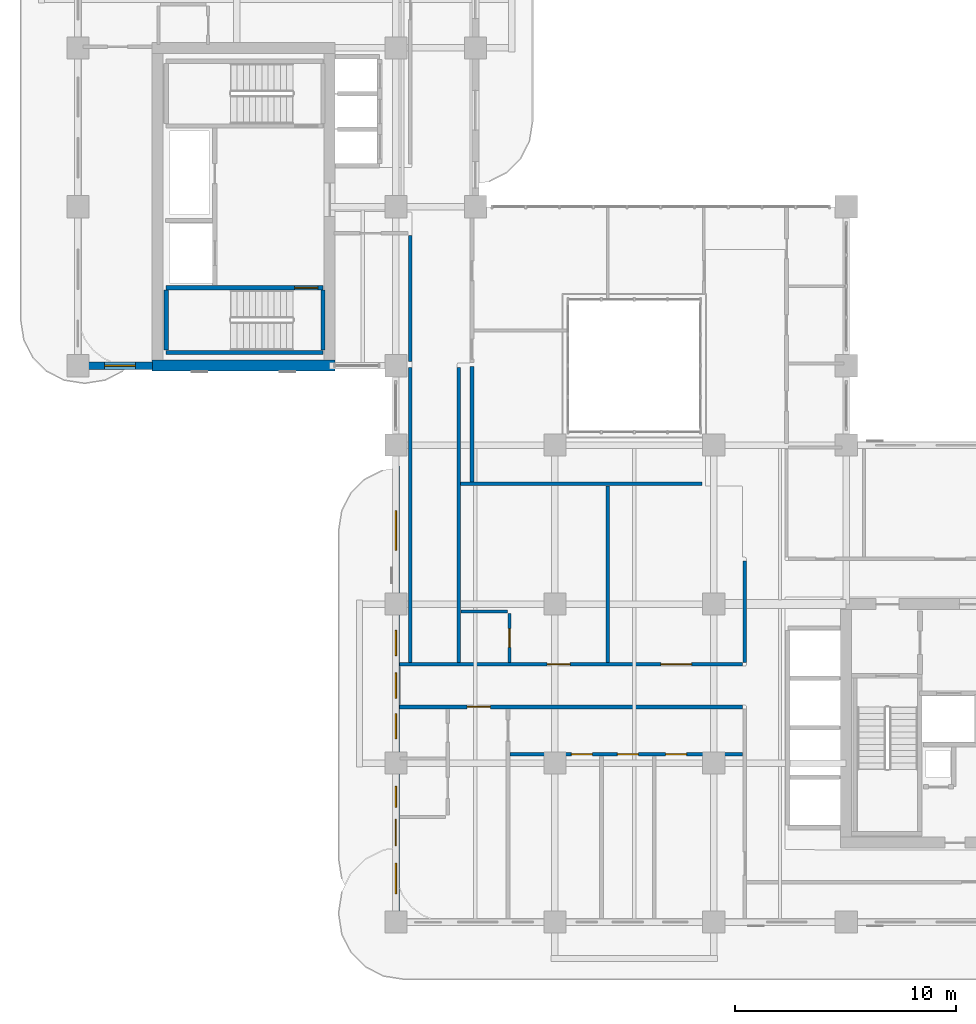
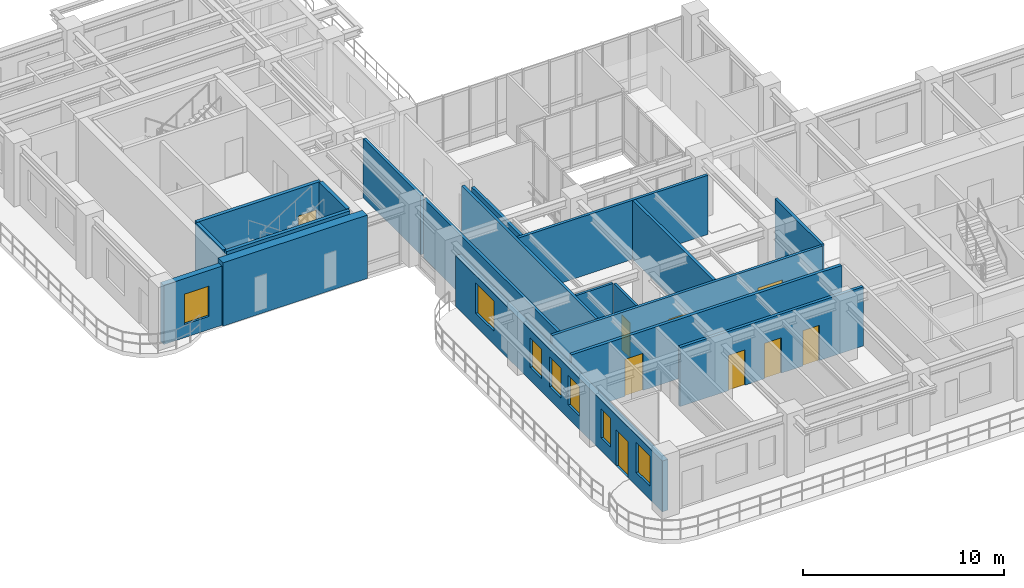
# One storey, part 11 of 20: 19 walls, 9 doors, 7 windows, 16 openings.
"""IFC4 building model written with IfcOpenShell, lengths in metres."""

from ifc_helpers import new_model, si_unit, derived_unit, direction, frame, frame_2d, origin, place, context, subcontext, project, spatial, rectangle, extrude, source, transform, mapped, material, layer, layer_set, type_object, type_shapes, element, fill, save


model = new_model("IFC4")

# Units and contexts
model_context = context("Model", 3, precision=1e-05, world=origin(), true_north=direction((0.0, 1.0)))
body_context = subcontext(model_context, "Body", "Model", "MODEL_VIEW")
ifc_project = project(units=[si_unit("LENGTHUNIT", "METRE"), si_unit("AREAUNIT", "SQUARE_METRE"), si_unit("VOLUMEUNIT", "CUBIC_METRE"), si_unit("PLANEANGLEUNIT", "RADIAN"), si_unit("MASSUNIT", "GRAM", prefix="KILO"), si_unit("THERMODYNAMICTEMPERATUREUNIT", "KELVIN"), si_unit("POWERUNIT", "WATT"), derived_unit("THERMALTRANSMITTANCEUNIT", [(si_unit("POWERUNIT", "WATT"), 1), (si_unit("AREAUNIT", "SQUARE_METRE"), -1), (si_unit("THERMODYNAMICTEMPERATUREUNIT", "KELVIN"), -1)])], contexts=[model_context])

# Site, building, storey
site_placement = place(None, origin())
site = spatial("IfcSite", under=ifc_project, at=site_placement, CompositionType="ELEMENT")
building_placement = place(site_placement, origin())
building = spatial("IfcBuilding", under=site, at=building_placement, Name="Zahravan Archway Hotel and Residences", CompositionType="ELEMENT")
storey_placement = place(building_placement, frame((0.0, 0.0, 177.25)))
storey = spatial("IfcBuildingStorey", under=building, at=storey_placement, Name="L44", CompositionType="ELEMENT", Elevation=177.25)

# Wall
ifc_material_1 = material(Name="Concrete C60/75", Category="concrete")
ifc_layer_1 = layer(ifc_material_1, 0.5, Name="Concrete C60/75", Category="concrete")
ifc_layer_set_1 = layer_set([ifc_layer_1], Name="Concrete C60/75")
wall_type_1 = type_object("IfcWallType", Name="CW-CORE-500", PredefinedType="SHEAR", material=ifc_layer_set_1)
wall_1_placement = place(storey_placement, frame((3.35009765625, 25.199951171875, 0.0), z_axis=(0.0, 0.0, 1.0), x_axis=(1.0, 0.0, 0.0)))
element("IfcWall", 1, at=wall_1_placement, inside=storey, type_object=wall_type_1, Name="L44 Core B Shear S Wall 500 mm", PredefinedType="SHEAR", context=body_context, shape_type="SweptSolid", body=[
    extrude(rectangle(XDim=8.2998046875, YDim=0.5, at=frame_2d((4.14990234375, 0.0))), origin(), (0.0, 0.0, 1.0), 3.85009765625),
])

# Wall, openings, door, windows
ifc_material_2 = material(Name="Agra Buff Sandstone & Insulated Backup", Category="masonry")
ifc_layer_2 = layer(ifc_material_2, 0.320068359375, Name="Agra Buff Sandstone & Insulated Backup", Category="masonry")
ifc_layer_set_2 = layer_set([ifc_layer_2], Name="Agra Buff Sandstone & Insulated Backup")
wall_type_2 = type_object("IfcWallType", Name="EW-SAND-320", PredefinedType="SOLIDWALL", material=ifc_layer_set_2)
wall_2_placement = place(storey_placement, frame((14.39990234375, 0.050048828125, 0.0), z_axis=(0.0, 0.0, 1.0), x_axis=(0.0, 1.0, 0.0)))
wall_2 = element("IfcWall", 2, at=wall_2_placement, inside=storey, type_object=wall_type_2, Name="L44 Exterior Sandstone Wall WA-WL", PredefinedType="SOLIDWALL", context=body_context, shape_type="SweptSolid", body=[
    extrude(rectangle(XDim=20.599853515625, YDim=0.320068359375, at=frame_2d((10.2998046875, 0.0))), origin(), (0.0, 0.0, 1.0), 3.0849609375),
])
opening_1_placement = place(wall_2_placement, frame((3.39990234375, 0.0, 0.0)))
opening_1 = element("IfcOpeningElement", 3, at=opening_1_placement, cuts=wall_2, Name="Opening ED-BL1", PredefinedType="OPENING", context=body_context, shape_type="SweptSolid", body=[
    extrude(rectangle(XDim=1.199951171875, YDim=2.199951171875, at=frame_2d((0.60009765625, 1.10009765625))), frame((0.0, 0.169921875, 0.0), z_axis=(0.0, -1.0, 0.0), x_axis=(1.0, 0.0, 0.0)), (0.0, 0.0, 1.0), 0.340087890625),
])
opening_2_placement = place(wall_2_placement, frame((1.22509765625, 0.0, 0.800048828125)))
opening_2 = element("IfcOpeningElement", 4, at=opening_2_placement, cuts=wall_2, Name="Opening W-03", PredefinedType="OPENING", context=body_context, shape_type="SweptSolid", body=[
    extrude(rectangle(XDim=1.39990234375, YDim=1.85009765625, at=frame_2d((0.699951171875, 0.925048828125))), frame((0.0, 0.169921875, 0.0), z_axis=(0.0, -1.0, 0.0), x_axis=(1.0, 0.0, 0.0)), (0.0, 0.0, 1.0), 0.340087890625),
])
opening_3_placement = place(wall_2_placement, frame((5.14990234375, 0.0, 0.800048828125)))
opening_3 = element("IfcOpeningElement", 5, at=opening_3_placement, cuts=wall_2, Name="Opening W-04", PredefinedType="OPENING", context=body_context, shape_type="SweptSolid", body=[
    extrude(rectangle(XDim=0.949951171875, YDim=1.75, at=frame_2d((0.47509765625, 0.875))), frame((0.0, 0.169921875, 0.0), z_axis=(0.0, -1.0, 0.0), x_axis=(1.0, 0.0, 0.0)), (0.0, 0.0, 1.0), 0.340087890625),
])
opening_4_placement = place(wall_2_placement, frame((8.24609375, 0.0, 0.800048828125)))
opening_4 = element("IfcOpeningElement", 6, at=opening_4_placement, cuts=wall_2, Name="Opening W-05", PredefinedType="OPENING", context=body_context, shape_type="SweptSolid", body=[
    extrude(rectangle(XDim=1.14990234375, YDim=1.800048828125, at=frame_2d((0.574951171875, 0.89990234375))), frame((0.0, 0.169921875, 0.0), z_axis=(0.0, -1.0, 0.0), x_axis=(1.0, 0.0, 0.0)), (0.0, 0.0, 1.0), 0.340087890625),
])
opening_5_placement = place(wall_2_placement, frame((10.0849609375, 0.0, 0.800048828125)))
opening_5 = element("IfcOpeningElement", 7, at=opening_5_placement, cuts=wall_2, Name="Opening W-05", PredefinedType="OPENING", context=body_context, shape_type="SweptSolid", body=[
    extrude(rectangle(XDim=1.14990234375, YDim=1.800048828125, at=frame_2d((0.574951171875, 0.89990234375))), frame((0.0, 0.169921875, 0.0), z_axis=(0.0, -1.0, 0.0), x_axis=(1.0, 0.0, 0.0)), (0.0, 0.0, 1.0), 0.340087890625),
])
opening_6_placement = place(wall_2_placement, frame((12.013916015625, 0.0, 0.800048828125)))
opening_6 = element("IfcOpeningElement", 8, at=opening_6_placement, cuts=wall_2, Name="Opening W-05", PredefinedType="OPENING", context=body_context, shape_type="SweptSolid", body=[
    extrude(rectangle(XDim=1.14990234375, YDim=1.800048828125, at=frame_2d((0.574951171875, 0.89990234375))), frame((0.0, 0.169921875, 0.0), z_axis=(0.0, -1.0, 0.0), x_axis=(1.0, 0.0, 0.0)), (0.0, 0.0, 1.0), 0.340087890625),
])
opening_7_placement = place(wall_2_placement, frame((16.7900390625, 0.0, 0.800048828125)))
opening_7 = element("IfcOpeningElement", 9, at=opening_7_placement, cuts=wall_2, Name="Opening W-02", PredefinedType="OPENING", context=body_context, shape_type="SweptSolid", body=[
    extrude(rectangle(XDim=1.800048828125, YDim=1.85009765625, at=frame_2d((0.89990234375, 0.925048828125))), frame((0.0, 0.169921875, 0.0), z_axis=(0.0, -1.0, 0.0), x_axis=(1.0, 0.0, 0.0)), (0.0, 0.0, 1.0), 0.340087890625),
])
ifc_material_3 = material(Name="Bronze-Anodized Glazed Aluminium", Category="aluminium")
door_type_1 = type_object("IfcDoorType", Name="ED-BALC-1200", OperationType="SLIDING_TO_LEFT", PredefinedType="DOOR", material=ifc_material_3)
shared_shape_1 = source(origin(), body_context, "Body", "SweptSolid", [
    extrude(rectangle(XDim=1.199951171875, YDim=2.199951171875, at=frame_2d((0.60009765625, 1.10009765625))), frame((0.0, 0.02490234375, 0.0), z_axis=(0.0, -1.0, 0.0), x_axis=(1.0, 0.0, 0.0)), (0.0, 0.0, 1.0), 0.050048828125),
])
type_shapes(door_type_1, [shared_shape_1])
door_1_placement = place(opening_1_placement, origin())
door_1 = element("IfcDoor", 10, at=door_1_placement, inside=storey, type_object=door_type_1, Name="L44 Outdoor Access Sliding Door (SLB-BAL-L44-WA)", OperationType="SLIDING_TO_LEFT", OverallHeight=2.199951171875, OverallWidth=1.199951171875, PredefinedType="DOOR", context=body_context, shape_type="MappedRepresentation", body=[
    mapped(shared_shape_1, transform((0.0, 0.0, 0.0), scale=1.0)),
])
fill(opening_1, door_1)
ifc_material_4 = material(Name="Bronze-Anodized Thermal-Break Aluminium & Low-E Glass", Category="aluminium")
window_type_1 = type_object("IfcWindowType", Name="WIN-TWR-1400", PartitioningType="SINGLE_PANEL", PredefinedType="WINDOW", material=ifc_material_4)
shared_shape_2 = source(origin(), body_context, "Body", "SweptSolid", [
    extrude(rectangle(XDim=1.39990234375, YDim=1.85009765625, at=frame_2d((0.699951171875, 0.925048828125))), frame((0.0, 0.030029296875, 0.0), z_axis=(0.0, -1.0, 0.0), x_axis=(1.0, 0.0, 0.0)), (0.0, 0.0, 1.0), 0.06005859375),
])
type_shapes(window_type_1, [shared_shape_2])
window_1_placement = place(opening_2_placement, origin())
window_1 = element("IfcWindow", 11, at=window_1_placement, inside=storey, type_object=window_type_1, Name="L44 Loggia Window 16", OverallHeight=1.85009765625, OverallWidth=1.39990234375, PartitioningType="SINGLE_PANEL", PredefinedType="WINDOW", context=body_context, shape_type="MappedRepresentation", body=[
    mapped(shared_shape_2, transform((0.0, 0.0, 0.0), scale=1.0)),
])
fill(opening_2, window_1)
window_type_2 = type_object("IfcWindowType", Name="WIN-NAR-950", PartitioningType="SINGLE_PANEL", PredefinedType="WINDOW", material=ifc_material_4)
shared_shape_3 = source(origin(), body_context, "Body", "SweptSolid", [
    extrude(rectangle(XDim=0.949951171875, YDim=1.75, at=frame_2d((0.47509765625, 0.875))), frame((0.0, 0.030029296875, 0.0), z_axis=(0.0, -1.0, 0.0), x_axis=(1.0, 0.0, 0.0)), (0.0, 0.0, 1.0), 0.06005859375),
])
type_shapes(window_type_2, [shared_shape_3])
window_2_placement = place(opening_3_placement, origin())
window_2 = element("IfcWindow", 12, at=window_2_placement, inside=storey, type_object=window_type_2, Name="L44 Loggia Window 17", OverallHeight=1.75, OverallWidth=0.949951171875, PartitioningType="SINGLE_PANEL", PredefinedType="WINDOW", context=body_context, shape_type="MappedRepresentation", body=[
    mapped(shared_shape_3, transform((0.0, 0.0, 0.0), scale=1.0)),
])
fill(opening_3, window_2)
window_type_3 = type_object("IfcWindowType", Name="WIN-TWR-1800", PartitioningType="DOUBLE_PANEL_VERTICAL", PredefinedType="WINDOW", material=ifc_material_4)
shared_shape_4 = source(origin(), body_context, "Body", "SweptSolid", [
    extrude(rectangle(XDim=1.800048828125, YDim=1.85009765625, at=frame_2d((0.89990234375, 0.925048828125))), frame((0.0, 0.030029296875, 0.0), z_axis=(0.0, -1.0, 0.0), x_axis=(1.0, 0.0, 0.0)), (0.0, 0.0, 1.0), 0.06005859375),
])
type_shapes(window_type_3, [shared_shape_4])
window_3_placement = place(opening_7_placement, origin())
window_3 = element("IfcWindow", 13, at=window_3_placement, inside=storey, type_object=window_type_3, Name="L44 Loggia Window 21", OverallHeight=1.85009765625, OverallWidth=1.800048828125, PartitioningType="DOUBLE_PANEL_VERTICAL", PredefinedType="WINDOW", context=body_context, shape_type="MappedRepresentation", body=[
    mapped(shared_shape_4, transform((0.0, 0.0, 0.0), scale=1.0)),
])
fill(opening_7, window_3)
window_type_4 = type_object("IfcWindowType", Name="WIN-TWR-1150", PartitioningType="SINGLE_PANEL", PredefinedType="WINDOW", material=ifc_material_4)
shared_shape_5 = source(origin(), body_context, "Body", "SweptSolid", [
    extrude(rectangle(XDim=1.14990234375, YDim=1.800048828125, at=frame_2d((0.574951171875, 0.89990234375))), frame((0.0, 0.030029296875, 0.0), z_axis=(0.0, -1.0, 0.0), x_axis=(1.0, 0.0, 0.0)), (0.0, 0.0, 1.0), 0.06005859375),
])
type_shapes(window_type_4, [shared_shape_5])
window_4_placement = place(opening_4_placement, origin())
window_4 = element("IfcWindow", 14, at=window_4_placement, inside=storey, type_object=window_type_4, Name="L44 Loggia Window 18", OverallHeight=1.800048828125, OverallWidth=1.14990234375, PartitioningType="SINGLE_PANEL", PredefinedType="WINDOW", context=body_context, shape_type="MappedRepresentation", body=[
    mapped(shared_shape_5, transform((0.0, 0.0, 0.0), scale=1.0)),
])
fill(opening_4, window_4)
window_5_placement = place(opening_5_placement, origin())
window_5 = element("IfcWindow", 15, at=window_5_placement, inside=storey, type_object=window_type_4, Name="L44 Loggia Window 19", OverallHeight=1.800048828125, OverallWidth=1.14990234375, PartitioningType="SINGLE_PANEL", PredefinedType="WINDOW", context=body_context, shape_type="MappedRepresentation", body=[
    mapped(shared_shape_5, transform((0.0, 0.0, 0.0), scale=1.0)),
])
fill(opening_5, window_5)
window_6_placement = place(opening_6_placement, origin())
window_6 = element("IfcWindow", 16, at=window_6_placement, inside=storey, type_object=window_type_4, Name="L44 Loggia Window 20", OverallHeight=1.800048828125, OverallWidth=1.14990234375, PartitioningType="SINGLE_PANEL", PredefinedType="WINDOW", context=body_context, shape_type="MappedRepresentation", body=[
    mapped(shared_shape_5, transform((0.0, 0.0, 0.0), scale=1.0)),
])
fill(opening_6, window_6)

# Wall, opening, window
wall_3_placement = place(storey_placement, frame((0.0, 25.199951171875, 0.0), z_axis=(0.0, 0.0, 1.0), x_axis=(1.0, 0.0, 0.0)))
wall_3 = element("IfcWall", 17, at=wall_3_placement, inside=storey, type_object=wall_type_2, Name="L44 Exterior Sandstone Wall WB-SW", PredefinedType="SOLIDWALL", context=body_context, shape_type="SweptSolid", body=[
    extrude(rectangle(XDim=3.3798828125, YDim=0.320068359375, at=frame_2d((1.68994140625, 0.0))), origin(), (0.0, 0.0, 1.0), 3.60009765625),
])
opening_8_placement = place(wall_3_placement, frame((1.205078125, 0.0, 0.800048828125)))
opening_8 = element("IfcOpeningElement", 18, at=opening_8_placement, cuts=wall_3, Name="Opening W-03", PredefinedType="OPENING", context=body_context, shape_type="SweptSolid", body=[
    extrude(rectangle(XDim=1.39990234375, YDim=1.85009765625, at=frame_2d((0.699951171875, 0.925048828125))), frame((0.0, 0.169921875, 0.0), z_axis=(0.0, -1.0, 0.0), x_axis=(1.0, 0.0, 0.0)), (0.0, 0.0, 1.0), 0.340087890625),
])
window_7_placement = place(opening_8_placement, origin())
window_7 = element("IfcWindow", 19, at=window_7_placement, inside=storey, type_object=window_type_1, Name="L44 Loggia Window 22", OverallHeight=1.85009765625, OverallWidth=1.39990234375, PartitioningType="SINGLE_PANEL", PredefinedType="WINDOW", context=body_context, shape_type="MappedRepresentation", body=[
    mapped(shared_shape_2, transform((0.0, 0.0, 0.0), scale=1.0)),
])
fill(opening_8, window_7)

# Wall, openings, doors
ifc_material_5 = material(Name="Fire-Rated Gypsum & Concrete Block", Category="concrete")
ifc_layer_3 = layer(ifc_material_5, 0.159912109375, Name="Fire-Rated Gypsum & Concrete Block", Category="concrete")
ifc_layer_set_3 = layer_set([ifc_layer_3], Name="Fire-Rated Gypsum & Concrete Block")
wall_type_3 = type_object("IfcWallType", Name="PW-CORR-160", PredefinedType="PARTITIONING", material=ifc_layer_set_3)
wall_4_placement = place(storey_placement, frame((14.568115234375, 11.669921875, 0.0), z_axis=(0.0, 0.0, 1.0), x_axis=(1.0, 0.0, 0.0)))
wall_4 = element("IfcWall", 20, at=wall_4_placement, inside=storey, type_object=wall_type_3, Name="L44 Partition WA-CN", PredefinedType="PARTITIONING", context=body_context, shape_type="SweptSolid", body=[
    extrude(rectangle(XDim=15.5419921875, YDim=0.159912109375, at=frame_2d((7.77099609375, 0.0))), origin(), (0.0, 0.0, 1.0), 3.60009765625),
])
opening_9_placement = place(wall_4_placement, frame((6.681884765625, 0.0, 0.0)))
opening_9 = element("IfcOpeningElement", 21, at=opening_9_placement, cuts=wall_4, Name="Opening D-U1", PredefinedType="OPENING", context=body_context, shape_type="SweptSolid", body=[
    extrude(rectangle(XDim=1.050048828125, YDim=2.25, at=frame_2d((0.52490234375, 1.125))), frame((0.0, 0.08984375, 0.0), z_axis=(0.0, -1.0, 0.0), x_axis=(1.0, 0.0, 0.0)), (0.0, 0.0, 1.0), 0.179931640625),
])
opening_10_placement = place(wall_4_placement, frame((11.83203125, 0.0, 0.0)))
opening_10 = element("IfcOpeningElement", 22, at=opening_10_placement, cuts=wall_4, Name="Opening D-P1", PredefinedType="OPENING", context=body_context, shape_type="SweptSolid", body=[
    extrude(rectangle(XDim=1.39990234375, YDim=2.35009765625, at=frame_2d((0.699951171875, 1.175048828125))), frame((0.0, 0.08984375, 0.0), z_axis=(0.0, -1.0, 0.0), x_axis=(1.0, 0.0, 0.0)), (0.0, 0.0, 1.0), 0.179931640625),
])
door_type_2 = type_object("IfcDoorType", Name="ID-PUBLIC-1400", OperationType="DOUBLE_DOOR_SINGLE_SWING", PredefinedType="DOOR", material=ifc_material_3)
shared_shape_6 = source(origin(), body_context, "Body", "SweptSolid", [
    extrude(rectangle(XDim=1.39990234375, YDim=2.35009765625, at=frame_2d((0.699951171875, 1.175048828125))), frame((0.0, 0.02490234375, 0.0), z_axis=(0.0, -1.0, 0.0), x_axis=(1.0, 0.0, 0.0)), (0.0, 0.0, 1.0), 0.050048828125),
])
type_shapes(door_type_2, [shared_shape_6])
door_2_placement = place(opening_10_placement, origin())
door_2 = element("IfcDoor", 23, at=door_2_placement, inside=storey, type_object=door_type_2, Name="L44 Atrium Dining Door", OperationType="DOUBLE_DOOR_SINGLE_SWING", OverallHeight=2.35009765625, OverallWidth=1.39990234375, PredefinedType="DOOR", context=body_context, shape_type="MappedRepresentation", body=[
    mapped(shared_shape_6, transform((0.0, 0.0, 0.0), scale=1.0)),
])
fill(opening_10, door_2)
ifc_material_6 = material(Name="Hardwood Veneer Timber", Category="wood")
door_type_3 = type_object("IfcDoorType", Name="ID-UNIT-1050", OperationType="NOTDEFINED", PredefinedType="DOOR", material=ifc_material_6)
shared_shape_7 = source(origin(), body_context, "Body", "SweptSolid", [
    extrude(rectangle(XDim=1.050048828125, YDim=2.25, at=frame_2d((0.52490234375, 1.125))), frame((0.0, 0.02490234375, 0.0), z_axis=(0.0, -1.0, 0.0), x_axis=(1.0, 0.0, 0.0)), (0.0, 0.0, 1.0), 0.050048828125),
])
type_shapes(door_type_3, [shared_shape_7])
door_3_placement = place(opening_9_placement, origin())
door_3 = element("IfcDoor", 24, at=door_3_placement, inside=storey, type_object=door_type_3, Name="L44 Hotel Guestroom 52 Entrance Door", OperationType="SINGLE_SWING_RIGHT", OverallHeight=2.25, OverallWidth=1.050048828125, PredefinedType="DOOR", context=body_context, shape_type="MappedRepresentation", body=[
    mapped(shared_shape_7, transform((0.0, 0.0, 0.0), scale=1.0)),
])
fill(opening_9, door_3)

# Walls
wall_5_placement = place(storey_placement, frame((30.199951171875, 11.760009765625, 0.0), z_axis=(0.0, 0.0, 1.0), x_axis=(0.0, 1.0, 0.0)))
element("IfcWall", 25, at=wall_5_placement, inside=storey, type_object=wall_type_3, Name="L44 Partition WA-FW", PredefinedType="PARTITIONING", context=body_context, shape_type="SweptSolid", body=[
    extrude(rectangle(XDim=4.60009765625, YDim=0.159912109375, at=frame_2d((2.300048828125, 0.0))), origin(), (0.0, 0.0, 1.0), 3.60009765625),
])
for number, where, z_axis, x_axis, name in (
    (26, (15.050048828125, 11.760009765625, 0.0), (0.0, 0.0, 1.0), (0.0, 1.0, 0.0), "L44 Partition LNK-W"),
    (27, (17.25, 11.760009765625, 0.0), (0.0, 0.0, 1.0), (0.0, 1.0, 0.0), "L44 Partition LNK-E"),
):
    element("IfcWall", number, at=place(storey_placement, frame(where, z_axis=z_axis, x_axis=x_axis)), inside=storey, type_object=wall_type_3, Name=name, PredefinedType="PARTITIONING", context=body_context, shape_type="SweptSolid", body=[
        extrude(rectangle(XDim=13.35009765625, YDim=0.159912109375, at=frame_2d((6.675048828125, 0.0))), origin(), (0.0, 0.0, 1.0), 3.60009765625),
    ])
wall_6_placement = place(storey_placement, frame((15.050048828125, 25.389892578125, 0.0), z_axis=(0.0, 0.0, 1.0), x_axis=(0.0, 1.0, 0.0)))
element("IfcWall", 28, at=wall_6_placement, inside=storey, type_object=wall_type_3, Name="L44 Partition FB1-E", PredefinedType="PARTITIONING", context=body_context, shape_type="SweptSolid", body=[
    extrude(rectangle(XDim=5.72021484375, YDim=0.159912109375, at=frame_2d((2.860107421875, 0.0))), origin(), (0.0, 0.0, 1.0), 3.60009765625),
])
wall_7_placement = place(storey_placement, frame((17.340087890625, 19.85009765625, 0.0), z_axis=(0.0, 0.0, 1.0), x_axis=(1.0, 0.0, 0.0)))
element("IfcWall", 29, at=wall_7_placement, inside=storey, type_object=wall_type_3, Name="L44 Partition ATR-S", PredefinedType="PARTITIONING", context=body_context, shape_type="SweptSolid", body=[
    extrude(rectangle(XDim=10.919921875, YDim=0.159912109375, at=frame_2d((5.4599609375, 0.0))), origin(), (0.0, 0.0, 1.0), 3.60009765625),
])

# Wall, opening, door
ifc_layer_4 = layer(ifc_material_5, 0.179931640625, Name="Fire-Rated Gypsum & Concrete Block", Category="concrete")
ifc_layer_set_4 = layer_set([ifc_layer_4], Name="Fire-Rated Gypsum & Concrete Block")
wall_type_4 = type_object("IfcWallType", Name="PW-CORR-180", PredefinedType="PARTITIONING", material=ifc_layer_set_4)
wall_8_placement = place(storey_placement, frame((14.568115234375, 9.75, 0.0), z_axis=(0.0, 0.0, 1.0), x_axis=(1.0, 0.0, 0.0)))
wall_8 = element("IfcWall", 30, at=wall_8_placement, inside=storey, type_object=wall_type_4, Name="L44 Partition WA-CS", PredefinedType="PARTITIONING", context=body_context, shape_type="SweptSolid", body=[
    extrude(rectangle(XDim=15.5419921875, YDim=0.179931640625, at=frame_2d((7.77099609375, 0.0))), origin(), (0.0, 0.0, 1.0), 3.60009765625),
])
opening_11_placement = place(wall_8_placement, frame((3.06201171875, 0.0, 0.0)))
opening_11 = element("IfcOpeningElement", 31, at=opening_11_placement, cuts=wall_8, Name="Opening D-U1", PredefinedType="OPENING", context=body_context, shape_type="SweptSolid", body=[
    extrude(rectangle(XDim=1.050048828125, YDim=2.25, at=frame_2d((0.52490234375, 1.125))), frame((0.0, 0.10009765625, 0.0), z_axis=(0.0, -1.0, 0.0), x_axis=(1.0, 0.0, 0.0)), (0.0, 0.0, 1.0), 0.199951171875),
])
door_4_placement = place(opening_11_placement, origin())
door_4 = element("IfcDoor", 32, at=door_4_placement, inside=storey, type_object=door_type_3, Name="L44 Flat S1 Entrance Door", OperationType="SINGLE_SWING_RIGHT", OverallHeight=2.25, OverallWidth=1.050048828125, PredefinedType="DOOR", context=body_context, shape_type="MappedRepresentation", body=[
    mapped(shared_shape_7, transform((0.0, 0.0, 0.0), scale=1.0)),
])
fill(opening_11, door_4)

# Wall, openings, doors
ifc_material_7 = material(Name="Acoustic Stud Partition")
ifc_layer_5 = layer(ifc_material_7, 0.169921875, Name="Acoustic Stud Partition")
ifc_layer_set_5 = layer_set([ifc_layer_5], Name="Acoustic Stud Partition")
wall_type_5 = type_object("IfcWallType", Name="PW-UNIT-170", PredefinedType="PARTITIONING", material=ifc_layer_set_5)
wall_9_placement = place(storey_placement, frame((19.570068359375, 7.60009765625, 0.0), z_axis=(0.0, 0.0, 1.0), x_axis=(1.0, 0.0, 0.0)))
wall_9 = element("IfcWall", 33, at=wall_9_placement, inside=storey, type_object=wall_type_5, Name="L44 Partition FL-S1-GH", PredefinedType="PARTITIONING", context=body_context, shape_type="SweptSolid", body=[
    extrude(rectangle(XDim=10.5400390625, YDim=0.169921875, at=frame_2d((5.27001953125, 0.0))), origin(), (0.0, 0.0, 1.0), 3.60009765625),
])
opening_12_placement = place(wall_9_placement, frame((2.78369140625, 0.0, 0.0)))
opening_12 = element("IfcOpeningElement", 34, at=opening_12_placement, cuts=wall_9, Name="Opening D-I1", PredefinedType="OPENING", context=body_context, shape_type="SweptSolid", body=[
    extrude(rectangle(XDim=0.949951171875, YDim=2.14990234375, at=frame_2d((0.47509765625, 1.074951171875))), frame((0.0, 0.094970703125, 0.0), z_axis=(0.0, -1.0, 0.0), x_axis=(1.0, 0.0, 0.0)), (0.0, 0.0, 1.0), 0.18994140625),
])
opening_13_placement = place(wall_9_placement, frame((4.864990234375, 0.0, 0.0)))
opening_13 = element("IfcOpeningElement", 35, at=opening_13_placement, cuts=wall_9, Name="Opening D-I1", PredefinedType="OPENING", context=body_context, shape_type="SweptSolid", body=[
    extrude(rectangle(XDim=0.949951171875, YDim=2.14990234375, at=frame_2d((0.47509765625, 1.074951171875))), frame((0.0, 0.094970703125, 0.0), z_axis=(0.0, -1.0, 0.0), x_axis=(1.0, 0.0, 0.0)), (0.0, 0.0, 1.0), 0.18994140625),
])
opening_14_placement = place(wall_9_placement, frame((7.054931640625, 0.0, 0.0)))
opening_14 = element("IfcOpeningElement", 36, at=opening_14_placement, cuts=wall_9, Name="Opening D-I1", PredefinedType="OPENING", context=body_context, shape_type="SweptSolid", body=[
    extrude(rectangle(XDim=0.949951171875, YDim=2.14990234375, at=frame_2d((0.47509765625, 1.074951171875))), frame((0.0, 0.094970703125, 0.0), z_axis=(0.0, -1.0, 0.0), x_axis=(1.0, 0.0, 0.0)), (0.0, 0.0, 1.0), 0.18994140625),
])
door_type_4 = type_object("IfcDoorType", Name="ID-INT-950", OperationType="NOTDEFINED", PredefinedType="DOOR", material=ifc_material_6)
shared_shape_8 = source(origin(), body_context, "Body", "SweptSolid", [
    extrude(rectangle(XDim=0.949951171875, YDim=2.14990234375, at=frame_2d((0.47509765625, 1.074951171875))), frame((0.0, 0.02490234375, 0.0), z_axis=(0.0, -1.0, 0.0), x_axis=(1.0, 0.0, 0.0)), (0.0, 0.0, 1.0), 0.050048828125),
])
type_shapes(door_type_4, [shared_shape_8])
door_5_placement = place(opening_12_placement, origin())
door_5 = element("IfcDoor", 37, at=door_5_placement, inside=storey, type_object=door_type_4, Name="L44 Flat S1 Bedroom 1 Door", OperationType="SINGLE_SWING_RIGHT", OverallHeight=2.14990234375, OverallWidth=0.949951171875, PredefinedType="DOOR", context=body_context, shape_type="MappedRepresentation", body=[
    mapped(shared_shape_8, transform((0.0, 0.0, 0.0), scale=1.0)),
])
fill(opening_12, door_5)
door_6_placement = place(opening_13_placement, origin())
door_6 = element("IfcDoor", 38, at=door_6_placement, inside=storey, type_object=door_type_4, Name="L44 Flat S1 Bedroom 2 Door", OperationType="SINGLE_SWING_LEFT", OverallHeight=2.14990234375, OverallWidth=0.949951171875, PredefinedType="DOOR", context=body_context, shape_type="MappedRepresentation", body=[
    mapped(shared_shape_8, transform((0.0, 0.0, 0.0), scale=1.0)),
])
fill(opening_13, door_6)
door_7_placement = place(opening_14_placement, origin())
door_7 = element("IfcDoor", 39, at=door_7_placement, inside=storey, type_object=door_type_4, Name="L44 Flat S1 Bedroom 3 Door", OperationType="SINGLE_SWING_LEFT", OverallHeight=2.14990234375, OverallWidth=0.949951171875, PredefinedType="DOOR", context=body_context, shape_type="MappedRepresentation", body=[
    mapped(shared_shape_8, transform((0.0, 0.0, 0.0), scale=1.0)),
])
fill(opening_14, door_7)

# Walls
wall_10_placement = place(storey_placement, frame((17.85009765625, 19.93994140625, 0.0), z_axis=(0.0, 0.0, 1.0), x_axis=(0.0, 1.0, 0.0)))
element("IfcWall", 40, at=wall_10_placement, inside=storey, type_object=wall_type_5, Name="L44 Partition ATR-NWSL", PredefinedType="PARTITIONING", context=body_context, shape_type="SweptSolid", body=[
    extrude(rectangle(XDim=5.219970703125, YDim=0.169921875, at=frame_2d((2.60986328125, 0.0))), origin(), (0.0, 0.0, 1.0), 3.284912109375),
])
wall_11_placement = place(storey_placement, frame((24.0, 11.760009765625, 0.0), z_axis=(0.0, 0.0, 1.0), x_axis=(0.0, 1.0, 0.0)))
element("IfcWall", 41, at=wall_11_placement, inside=storey, type_object=wall_type_5, Name="L44 Partition ATN-3", PredefinedType="PARTITIONING", context=body_context, shape_type="SweptSolid", body=[
    extrude(rectangle(XDim=8.0, YDim=0.169921875, at=frame_2d((4.0, 0.0))), origin(), (0.0, 0.0, 1.0), 3.60009765625),
])

# Wall, opening, door
ifc_material_8 = material(Name="Moisture-Resistant Blockwork", Category="masonry")
ifc_layer_6 = layer(ifc_material_8, 0.139892578125, Name="Moisture-Resistant Blockwork", Category="masonry")
ifc_layer_set_6 = layer_set([ifc_layer_6], Name="Moisture-Resistant Blockwork")
wall_type_6 = type_object("IfcWallType", Name="PW-WET-140", PredefinedType="PARTITIONING", material=ifc_layer_set_6)
wall_12_placement = place(storey_placement, frame((19.550048828125, 11.760009765625, 0.0), z_axis=(0.0, 0.0, 1.0), x_axis=(0.0, 1.0, 0.0)))
wall_12 = element("IfcWall", 42, at=wall_12_placement, inside=storey, type_object=wall_type_6, Name="L44 Partition HKB-V52", PredefinedType="PARTITIONING", context=body_context, shape_type="SweptSolid", body=[
    extrude(rectangle(XDim=2.219970703125, YDim=0.139892578125, at=frame_2d((1.10986328125, 0.0))), origin(), (0.0, 0.0, 1.0), 3.60009765625),
])
opening_15_placement = place(wall_12_placement, frame((0.68505859375, 0.0, 0.0)))
opening_15 = element("IfcOpeningElement", 43, at=opening_15_placement, cuts=wall_12, Name="Opening D-B1", PredefinedType="OPENING", context=body_context, shape_type="SweptSolid", body=[
    extrude(rectangle(XDim=0.85009765625, YDim=2.10009765625, at=frame_2d((0.425048828125, 1.050048828125))), frame((0.0, 0.080078125, 0.0), z_axis=(0.0, -1.0, 0.0), x_axis=(1.0, 0.0, 0.0)), (0.0, 0.0, 1.0), 0.159912109375),
])
door_type_5 = type_object("IfcDoorType", Name="ID-BATH-850", OperationType="NOTDEFINED", PredefinedType="DOOR", material=ifc_material_6)
shared_shape_9 = source(origin(), body_context, "Body", "SweptSolid", [
    extrude(rectangle(XDim=0.85009765625, YDim=2.10009765625, at=frame_2d((0.425048828125, 1.050048828125))), frame((0.0, 0.02490234375, 0.0), z_axis=(0.0, -1.0, 0.0), x_axis=(1.0, 0.0, 0.0)), (0.0, 0.0, 1.0), 0.050048828125),
])
type_shapes(door_type_5, [shared_shape_9])
door_8_placement = place(opening_15_placement, origin())
door_8 = element("IfcDoor", 44, at=door_8_placement, inside=storey, type_object=door_type_5, Name="L44 Guestroom 52 En-Suite Door", OperationType="SINGLE_SWING_LEFT", OverallHeight=2.10009765625, OverallWidth=0.85009765625, PredefinedType="DOOR", context=body_context, shape_type="MappedRepresentation", body=[
    mapped(shared_shape_9, transform((0.0, 0.0, 0.0), scale=1.0)),
])
fill(opening_15, door_8)

# Walls
wall_13_placement = place(storey_placement, frame((17.340087890625, 14.070068359375, 0.0), z_axis=(0.0, 0.0, 1.0), x_axis=(1.0, 0.0, 0.0)))
element("IfcWall", 45, at=wall_13_placement, inside=storey, type_object=wall_type_6, Name="L44 Partition HKB-H52", PredefinedType="PARTITIONING", context=body_context, shape_type="SweptSolid", body=[
    extrude(rectangle(XDim=2.119873046875, YDim=0.139892578125, at=frame_2d((1.06005859375, 0.0))), origin(), (0.0, 0.0, 1.0), 3.60009765625),
])
ifc_material_9 = material(Name="Concrete C50/60", Category="concrete")
ifc_layer_7 = layer(ifc_material_9, 0.199951171875, Name="Concrete C50/60", Category="concrete")
ifc_layer_set_7 = layer_set([ifc_layer_7], Name="Concrete C50/60")
wall_type_7 = type_object("IfcWallType", Name="SW-STAIR-200", PredefinedType="SHEAR", material=ifc_layer_set_7)
wall_14_placement = place(storey_placement, frame((4.0, 25.800048828125, 0.0), z_axis=(0.0, 0.0, 1.0), x_axis=(1.0, 0.0, 0.0)))
element("IfcWall", 46, at=wall_14_placement, inside=storey, type_object=wall_type_7, Name="L44 Stairwell RC Wall CB-SB1S", PredefinedType="SHEAR", context=body_context, shape_type="SweptSolid", body=[
    extrude(rectangle(XDim=7.10009765625, YDim=0.199951171875, at=frame_2d((3.550048828125, 0.0))), origin(), (0.0, 0.0, 1.0), 3.85009765625),
])
for number, where, z_axis, x_axis, name in (
    (47, (4.0, 25.919921875, 0.0), (0.0, 0.0, 1.0), (0.0, 1.0, 0.0), "L44 Stairwell RC Wall CB-SB1W"),
    (48, (11.10009765625, 25.919921875, 0.0), (0.0, 0.0, 1.0), (0.0, 1.0, 0.0), "L44 Stairwell RC Wall CB-SB1E"),
):
    element("IfcWall", number, at=place(storey_placement, frame(where, z_axis=z_axis, x_axis=x_axis)), inside=storey, type_object=wall_type_7, Name=name, PredefinedType="SHEAR", context=body_context, shape_type="SweptSolid", body=[
        extrude(rectangle(XDim=2.7001953125, YDim=0.199951171875, at=frame_2d((1.35009765625, 0.0))), origin(), (0.0, 0.0, 1.0), 3.85009765625),
    ])

# Wall, opening, door
wall_15_placement = place(storey_placement, frame((4.0, 28.739990234375, 0.0), z_axis=(0.0, 0.0, 1.0), x_axis=(1.0, 0.0, 0.0)))
wall_15 = element("IfcWall", 49, at=wall_15_placement, inside=storey, type_object=wall_type_7, Name="L44 Stairwell RC Wall CB-SB1N", PredefinedType="SHEAR", context=body_context, shape_type="SweptSolid", body=[
    extrude(rectangle(XDim=7.10009765625, YDim=0.199951171875, at=frame_2d((3.550048828125, 0.0))), origin(), (0.0, 0.0, 1.0), 3.85009765625),
])
opening_16_placement = place(wall_15_placement, frame((5.81494140625, 0.0, 0.0)))
opening_16 = element("IfcOpeningElement", 50, at=opening_16_placement, cuts=wall_15, Name="Opening FD-S1", PredefinedType="OPENING", context=body_context, shape_type="SweptSolid", body=[
    extrude(rectangle(XDim=1.050048828125, YDim=2.199951171875, at=frame_2d((0.52490234375, 1.10009765625))), frame((0.0, 0.10986328125, 0.0), z_axis=(0.0, -1.0, 0.0), x_axis=(1.0, 0.0, 0.0)), (0.0, 0.0, 1.0), 0.219970703125),
])
ifc_material_10 = material(Name="Fire-Rated Painted Steel", Category="steel")
door_type_6 = type_object("IfcDoorType", Name="FD-STAIR-1100", OperationType="NOTDEFINED", PredefinedType="DOOR", material=ifc_material_10)
shared_shape_10 = source(origin(), body_context, "Body", "SweptSolid", [
    extrude(rectangle(XDim=1.050048828125, YDim=2.199951171875, at=frame_2d((0.52490234375, 1.10009765625))), frame((0.0, 0.02490234375, 0.0), z_axis=(0.0, -1.0, 0.0), x_axis=(1.0, 0.0, 0.0)), (0.0, 0.0, 1.0), 0.050048828125),
])
type_shapes(door_type_6, [shared_shape_10])
door_9_placement = place(opening_16_placement, origin())
door_9 = element("IfcDoor", 51, at=door_9_placement, inside=storey, type_object=door_type_6, Name="L44 Stair ST-B1 Door", OperationType="SINGLE_SWING_LEFT", OverallHeight=2.199951171875, OverallWidth=1.050048828125, PredefinedType="DOOR", context=body_context, shape_type="MappedRepresentation", body=[
    mapped(shared_shape_10, transform((0.0, 0.0, 0.0), scale=1.0)),
])
fill(opening_16, door_9)

save(model, "model.ifc")
